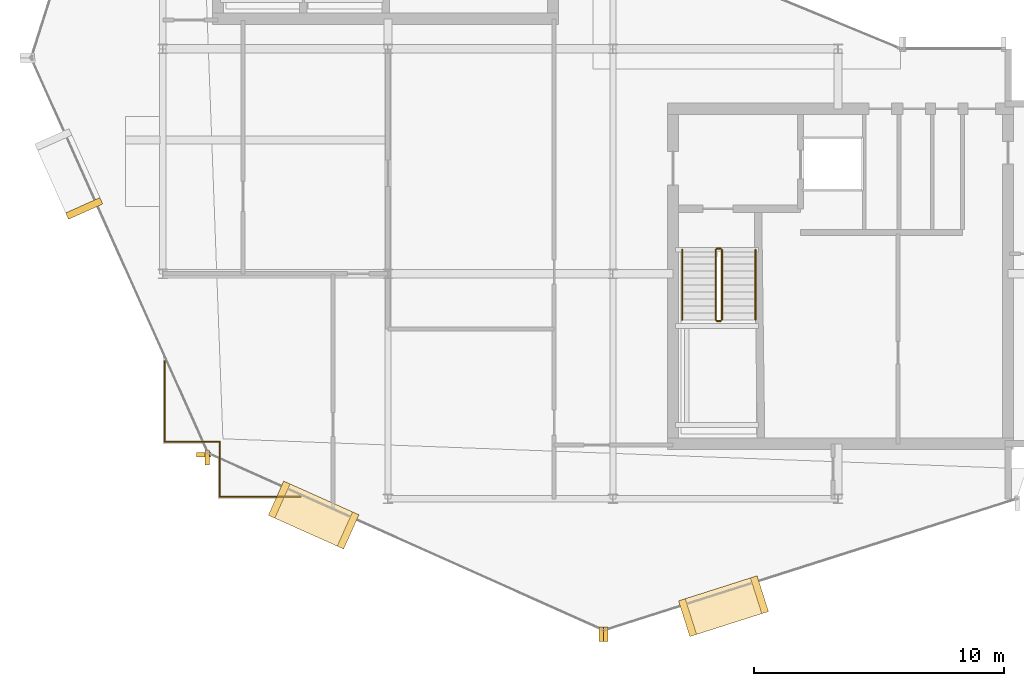
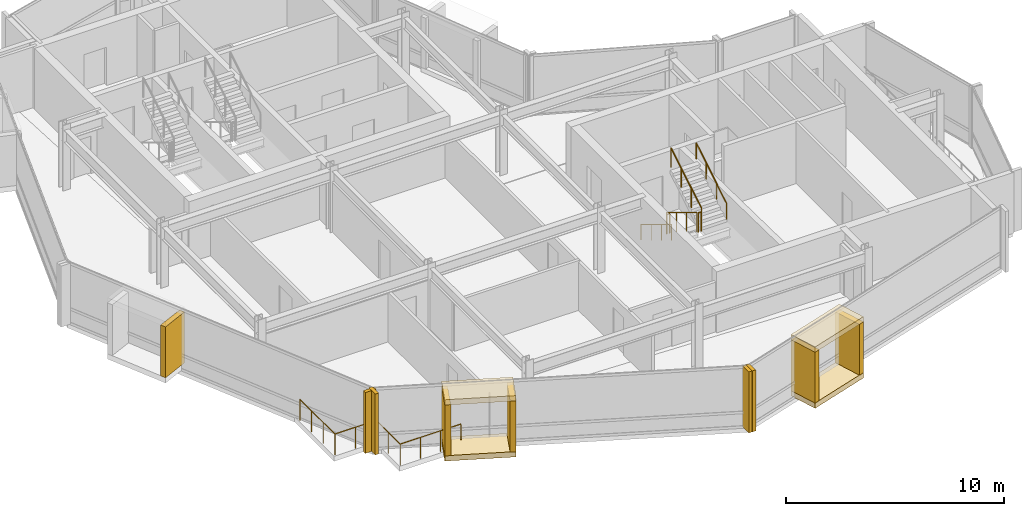
# One storey, part 16 of 19: 13 coverings, 10 railings.
"""IFC4 building model written with IfcOpenShell, lengths in metres."""

from ifc_helpers import new_model, si_unit, direction, frame, origin, origin_2d, place, context, subcontext, project, spatial, rectangle, circle, extrude, material, layer, layer_set, type_object, element, save


model = new_model("IFC4")

# Units and contexts
model_context = context("Model", 3, precision=1e-05, world=origin(), true_north=direction((0.0, 1.0)))
body_context = subcontext(model_context, "Body", "Model", "MODEL_VIEW")
ifc_project = project(units=[si_unit("LENGTHUNIT", "METRE"), si_unit("AREAUNIT", "SQUARE_METRE"), si_unit("VOLUMEUNIT", "CUBIC_METRE"), si_unit("PLANEANGLEUNIT", "RADIAN"), si_unit("MASSUNIT", "GRAM", prefix="KILO")], contexts=[model_context])

# Site, building, storey
site_placement = place(None, origin())
site = spatial("IfcSite", under=ifc_project, at=site_placement, CompositionType="ELEMENT")
building_placement = place(site_placement, origin())
building = spatial("IfcBuilding", under=site, at=building_placement, Name="Solvaryn Broadcast Tower", CompositionType="ELEMENT")
storey_placement = place(building_placement, frame((0.0, 0.0, 259.300048828125)))
storey = spatial("IfcBuildingStorey", under=building, at=storey_placement, Name="L65", CompositionType="ELEMENT", Elevation=259.300048828125)

# Coverings
ifc_material_1 = material(Name="Glazed Architectural Terracotta Rainscreen Cladding", Category="masonry")
ifc_layer_1 = layer(ifc_material_1, 0.280029296875)
ifc_layer_set_1 = layer_set([ifc_layer_1], Name="CV-TC-CLAD")
covering_type_1 = type_object("IfcCoveringType", Name="CV-TC-CLAD", PredefinedType="CLADDING", material=ifc_layer_set_1)
covering_1_placement = place(storey_placement, frame((5.852783203125, 20.61181640625, 0.27978515625), z_axis=(0.0, 0.0, 1.0), x_axis=(0.408489773781, -0.91276289622, 0.0)))
element("IfcCovering", 1, at=covering_1_placement, inside=storey, type_object=covering_type_1, Name="L65 Projecting Stone Window Box Cheek 2-2", PredefinedType="CLADDING", context=body_context, shape_type="SweptSolid", body=[
    extrude(rectangle(XDim=0.280029296875, YDim=1.5, at=origin_2d()), origin(), (0.0, 0.0, 1.0), 2.860107421875),
])
for number, where, z_axis, x_axis, name in (
    (2, (15.030029296875, 8.35107421875, 3.1298828125), (0.0, 0.0, 1.0), (0.91276289622, -0.408489773781, 0.0), "L65 Projecting Stone Window Box Hood 3"),
    (3, (15.030029296875, 8.35107421875, -0.01025390625), (0.0, 0.0, 1.0), (0.91276289622, -0.408489773781, 0.0), "L65 Projecting Stone Window Box Sill 3"),
):
    element("IfcCovering", number, at=place(storey_placement, frame(where, z_axis=z_axis, x_axis=x_axis)), inside=storey, type_object=covering_type_1, Name=name, PredefinedType="CLADDING", context=body_context, shape_type="SweptSolid", body=[
        extrude(rectangle(XDim=3.300048828125, YDim=1.5, at=origin_2d()), origin(), (0.0, 0.0, 1.0), 0.300048828125),
    ])
for number, where, z_axis, x_axis, name in (
    (4, (13.651611328125, 8.9677734375, 0.27978515625), (0.0, 0.0, 1.0), (0.91276289622, -0.408489773781, 0.0), "L65 Projecting Stone Window Box Cheek 3-1"),
    (5, (16.408203125, 7.734130859375, 0.27978515625), (0.0, 0.0, 1.0), (0.91276289622, -0.408489773781, 0.0), "L65 Projecting Stone Window Box Cheek 3-2"),
):
    element("IfcCovering", number, at=place(storey_placement, frame(where, z_axis=z_axis, x_axis=x_axis)), inside=storey, type_object=covering_type_1, Name=name, PredefinedType="CLADDING", context=body_context, shape_type="SweptSolid", body=[
        extrude(rectangle(XDim=0.280029296875, YDim=1.5, at=origin_2d()), origin(), (0.0, 0.0, 1.0), 2.860107421875),
    ])
for number, where, z_axis, x_axis, name in (
    (6, (31.4208984375, 4.7060546875, 3.1298828125), (0.0, 0.0, 1.0), (0.952820541996, 0.303534206887, 0.0), "L65 Projecting Stone Window Box Hood 4"),
    (7, (31.4208984375, 4.7060546875, -0.01025390625), (0.0, 0.0, 1.0), (0.952820541996, 0.303534206887, 0.0), "L65 Projecting Stone Window Box Sill 4"),
):
    element("IfcCovering", number, at=place(storey_placement, frame(where, z_axis=z_axis, x_axis=x_axis)), inside=storey, type_object=covering_type_1, Name=name, PredefinedType="CLADDING", context=body_context, shape_type="SweptSolid", body=[
        extrude(rectangle(XDim=3.300048828125, YDim=1.5, at=origin_2d()), origin(), (0.0, 0.0, 1.0), 0.300048828125),
    ])
for number, where, z_axis, x_axis, name in (
    (8, (29.982177734375, 4.247802734375, 0.27978515625), (0.0, 0.0, 1.0), (0.952820541996, 0.303534206887, 0.0), "L65 Projecting Stone Window Box Cheek 4-1"),
    (9, (32.85986328125, 5.164306640625, 0.27978515625), (0.0, 0.0, 1.0), (0.952820541996, 0.303534206887, 0.0), "L65 Projecting Stone Window Box Cheek 4-2"),
):
    element("IfcCovering", number, at=place(storey_placement, frame(where, z_axis=z_axis, x_axis=x_axis)), inside=storey, type_object=covering_type_1, Name=name, PredefinedType="CLADDING", context=body_context, shape_type="SweptSolid", body=[
        extrude(rectangle(XDim=0.280029296875, YDim=1.5, at=origin_2d()), origin(), (0.0, 0.0, 1.0), 2.860107421875),
    ])
ifc_material_2 = material(Name="Extruded Architectural Terracotta Fin", Category="masonry")
ifc_layer_2 = layer(ifc_material_2, 0.179931640625)
ifc_layer_set_2 = layer_set([ifc_layer_2], Name="CV-TC-FIN")
covering_type_2 = type_object("IfcCoveringType", Name="CV-TC-FIN", PredefinedType="USERDEFINED", material=ifc_layer_set_2)
covering_2_placement = place(storey_placement, frame((10.640380859375, 10.77099609375, 0.0), z_axis=(0.0, 0.0, 1.0), x_axis=(1.0, 0.0, 0.0)))
element("IfcCovering", 10, at=covering_2_placement, inside=storey, type_object=covering_type_2, Name="L65 Terracotta Vertical Fin FIN-L65-DR2-M01", ObjectType="FIN", PredefinedType="USERDEFINED", context=body_context, shape_type="SweptSolid", body=[
    extrude(rectangle(XDim=0.580078125, YDim=0.179931640625, at=origin_2d()), origin(), (0.0, 0.0, 1.0), 3.419921875),
])
for number, where, z_axis, x_axis, name in (
    (11, (10.77099609375, 10.640380859375, 0.0), (0.0, 0.0, 1.0), (1.0, 0.0, 0.0), "L65 Terracotta Vertical Fin FIN-L65-DR3-M00"),
    (12, (26.53515625, 3.5859375, 0.0), (0.0, 0.0, 1.0), (1.0, 0.0, 0.0), "L65 Terracotta Vertical Fin FIN-L65-DR3-M01"),
    (13, (26.71923828125, 3.575439453125, 0.0), (0.0, 0.0, 1.0), (1.0, 0.0, 0.0), "L65 Terracotta Vertical Fin FIN-L65-DR4-M00"),
):
    element("IfcCovering", number, at=place(storey_placement, frame(where, z_axis=z_axis, x_axis=x_axis)), inside=storey, type_object=covering_type_2, Name=name, ObjectType="FIN", PredefinedType="USERDEFINED", context=body_context, shape_type="SweptSolid", body=[
        extrude(rectangle(XDim=0.179931640625, YDim=0.580078125, at=origin_2d()), origin(), (0.0, 0.0, 1.0), 3.419921875),
    ])

# Railings
ifc_material_3 = material(Name="Stainless Steel and Laminated Glass Guard", Category="steel")
railing_type_1 = type_object("IfcRailingType", Name="RL-SKYG-1200", PredefinedType="BALUSTRADE", material=ifc_material_3)
railing_1_placement = place(storey_placement, frame((9.080078125, 14.5, 0.0)))
element("IfcRailing", 14, at=railing_1_placement, inside=storey, type_object=railing_type_1, Name="L65 Upper SW Corner Balustrade 1", PredefinedType="BALUSTRADE", context=body_context, shape_type="SweptSolid", body=[
    extrude(circle(Radius=0.02392578125, at=origin_2d()), frame((0.0, 0.0, 1.17578125), z_axis=(0.0, -1.0, 0.0), x_axis=(1.0, 0.0, 0.0)), (0.0, 0.0, 1.0), 3.219970703125),
    extrude(circle(Radius=0.02099609375, at=origin_2d()), origin(), (0.0, 0.0, 1.0), 1.15185546875),
    extrude(circle(Radius=0.02099609375, at=origin_2d()), frame((0.0, -1.0732421875, 0.0)), (0.0, 0.0, 1.0), 1.15185546875),
    extrude(circle(Radius=0.02099609375, at=origin_2d()), frame((0.0, -2.146728515625, 0.0)), (0.0, 0.0, 1.0), 1.15185546875),
    extrude(circle(Radius=0.02099609375, at=origin_2d()), frame((0.0, -3.219970703125, 0.0)), (0.0, 0.0, 1.0), 1.15185546875),
])
railing_2_placement = place(storey_placement, frame((9.080078125, 11.280029296875, 0.0)))
element("IfcRailing", 15, at=railing_2_placement, inside=storey, type_object=railing_type_1, Name="L65 Upper SW Corner Balustrade 2", PredefinedType="BALUSTRADE", context=body_context, shape_type="SweptSolid", body=[
    extrude(circle(Radius=0.02392578125, at=origin_2d()), frame((0.0, 0.0, 1.17578125), z_axis=(1.0, 0.0, 0.0), x_axis=(0.0, 1.0, 0.0)), (0.0, 0.0, 1.0), 2.199951171875),
    extrude(circle(Radius=0.02099609375, at=origin_2d()), origin(), (0.0, 0.0, 1.0), 1.15185546875),
    extrude(circle(Radius=0.02099609375, at=origin_2d()), frame((1.10009765625, 0.0, 0.0)), (0.0, 0.0, 1.0), 1.15185546875),
    extrude(circle(Radius=0.02099609375, at=origin_2d()), frame((2.199951171875, 0.0, 0.0)), (0.0, 0.0, 1.0), 1.15185546875),
])
railing_3_placement = place(storey_placement, frame((11.280029296875, 11.280029296875, 0.0)))
element("IfcRailing", 16, at=railing_3_placement, inside=storey, type_object=railing_type_1, Name="L65 Upper SW Corner Balustrade 3", PredefinedType="BALUSTRADE", context=body_context, shape_type="SweptSolid", body=[
    extrude(circle(Radius=0.02392578125, at=origin_2d()), frame((0.0, 0.0, 1.17578125), z_axis=(0.0, -1.0, 0.0), x_axis=(1.0, 0.0, 0.0)), (0.0, 0.0, 1.0), 2.199951171875),
    extrude(circle(Radius=0.02099609375, at=origin_2d()), origin(), (0.0, 0.0, 1.0), 1.15185546875),
    extrude(circle(Radius=0.02099609375, at=origin_2d()), frame((0.0, -1.10009765625, 0.0)), (0.0, 0.0, 1.0), 1.15185546875),
    extrude(circle(Radius=0.02099609375, at=origin_2d()), frame((0.0, -2.199951171875, 0.0)), (0.0, 0.0, 1.0), 1.15185546875),
])
railing_4_placement = place(storey_placement, frame((11.280029296875, 9.080078125, 0.0)))
element("IfcRailing", 17, at=railing_4_placement, inside=storey, type_object=railing_type_1, Name="L65 Upper SW Corner Balustrade 4", PredefinedType="BALUSTRADE", context=body_context, shape_type="SweptSolid", body=[
    extrude(circle(Radius=0.02392578125, at=origin_2d()), frame((0.0, 0.0, 1.17578125), z_axis=(1.0, 0.0, 0.0), x_axis=(0.0, 1.0, 0.0)), (0.0, 0.0, 1.0), 3.219970703125),
    extrude(circle(Radius=0.02099609375, at=origin_2d()), origin(), (0.0, 0.0, 1.0), 1.15185546875),
    extrude(circle(Radius=0.02099609375, at=origin_2d()), frame((1.0732421875, 0.0, 0.0)), (0.0, 0.0, 1.0), 1.15185546875),
    extrude(circle(Radius=0.02099609375, at=origin_2d()), frame((2.146728515625, 0.0, 0.0)), (0.0, 0.0, 1.0), 1.15185546875),
    extrude(circle(Radius=0.02099609375, at=origin_2d()), frame((3.219970703125, 0.0, 0.0)), (0.0, 0.0, 1.0), 1.15185546875),
])
ifc_material_4 = material(Name="Painted Steel Stair Well Guard", Category="steel")
railing_type_2 = type_object("IfcRailingType", Name="RL-STAIR-GUARD", PredefinedType="BALUSTRADE", material=ifc_material_4)
railing_5_placement = place(storey_placement, frame((31.110107421875, 18.9599609375, 0.168212890625)))
element("IfcRailing", 18, at=railing_5_placement, inside=storey, type_object=railing_type_2, Name="L65 ST3 stair guard 1", PredefinedType="BALUSTRADE", context=body_context, shape_type="SweptSolid", body=[
    extrude(circle(Radius=0.02392578125, at=origin_2d()), frame((0.0, 0.0, 1.076171875), z_axis=(0.0, -0.857275202839, 0.514858452973), x_axis=(1.0, 0.0, 0.0)), (0.0, 0.0, 1.0), 3.26611328125),
    extrude(circle(Radius=0.02099609375, at=origin_2d()), origin(), (0.0, 0.0, 1.0), 1.052001953125),
    extrude(circle(Radius=0.02099609375, at=origin_2d()), frame((0.0, -0.933349609375, 0.560546875)), (0.0, 0.0, 1.0), 1.052001953125),
    extrude(circle(Radius=0.02099609375, at=origin_2d()), frame((0.0, -1.86669921875, 1.12109375)), (0.0, 0.0, 1.0), 1.052001953125),
    extrude(circle(Radius=0.02099609375, at=origin_2d()), frame((0.0, -2.800048828125, 1.681640625)), (0.0, 0.0, 1.0), 1.052001953125),
])
railing_6_placement = place(storey_placement, frame((31.159912109375, 16.110107421875, 1.849853515625)))
element("IfcRailing", 19, at=railing_6_placement, inside=storey, type_object=railing_type_2, Name="L65 ST3 stair guard 2", PredefinedType="BALUSTRADE", context=body_context, shape_type="SweptSolid", body=[
    extrude(circle(Radius=0.02392578125, at=origin_2d()), frame((0.0, 0.0, 1.076171875), z_axis=(1.0, 0.0, 0.0), x_axis=(0.0, 1.0, 0.0)), (0.0, 0.0, 1.0), 0.150146484375),
    extrude(circle(Radius=0.02099609375, at=origin_2d()), origin(), (0.0, 0.0, 1.0), 1.052001953125),
    extrude(circle(Radius=0.02099609375, at=origin_2d()), frame((0.150146484375, 0.0, 0.0)), (0.0, 0.0, 1.0), 1.052001953125),
])
railing_7_placement = place(storey_placement, frame((31.360107421875, 16.159912109375, 2.01806640625)))
element("IfcRailing", 20, at=railing_7_placement, inside=storey, type_object=railing_type_2, Name="L65 ST3 stair guard 3", PredefinedType="BALUSTRADE", context=body_context, shape_type="SweptSolid", body=[
    extrude(circle(Radius=0.02392578125, at=origin_2d()), frame((0.0, 0.0, 1.076171875), z_axis=(0.0, 0.857242210791, 0.514913383045), x_axis=(-1.0, 0.0, 0.0)), (0.0, 0.0, 1.0), 3.266357421875),
    extrude(circle(Radius=0.02099609375, at=origin_2d()), origin(), (0.0, 0.0, 1.0), 1.052001953125),
    extrude(circle(Radius=0.02099609375, at=origin_2d()), frame((0.0, 0.933349609375, 0.560546875)), (0.0, 0.0, 1.0), 1.052001953125),
    extrude(circle(Radius=0.02099609375, at=origin_2d()), frame((0.0, 1.86669921875, 1.121337890625)), (0.0, 0.0, 1.0), 1.052001953125),
    extrude(circle(Radius=0.02099609375, at=origin_2d()), frame((0.0, 2.800048828125, 1.681884765625)), (0.0, 0.0, 1.0), 1.052001953125),
])
railing_8_placement = place(storey_placement, frame((31.159912109375, 19.010009765625, 0.0)))
element("IfcRailing", 21, at=railing_8_placement, inside=storey, type_object=railing_type_2, Name="L65 ST3 stair guard 4", PredefinedType="BALUSTRADE", context=body_context, shape_type="SweptSolid", body=[
    extrude(circle(Radius=0.02392578125, at=origin_2d()), frame((0.0, 0.0, 1.076171875), z_axis=(1.0, 0.0, 0.0), x_axis=(0.0, 1.0, 0.0)), (0.0, 0.0, 1.0), 0.150146484375),
    extrude(circle(Radius=0.02099609375, at=origin_2d()), origin(), (0.0, 0.0, 1.0), 1.052001953125),
    extrude(circle(Radius=0.02099609375, at=origin_2d()), frame((0.150146484375, 0.0, 0.0)), (0.0, 0.0, 1.0), 1.052001953125),
])
ifc_material_5 = material(Name="Brushed Stainless Steel Tubular Handrail", Category="steel")
railing_type_3 = type_object("IfcRailingType", Name="RL-STAIR-HANDRAIL", PredefinedType="HANDRAIL", material=ifc_material_5)
railing_9_placement = place(storey_placement, frame((29.77001953125, 18.9599609375, 0.168212890625)))
element("IfcRailing", 22, at=railing_9_placement, inside=storey, type_object=railing_type_3, Name="L65 ST3 stair handrail 1", PredefinedType="HANDRAIL", context=body_context, shape_type="SweptSolid", body=[
    extrude(circle(Radius=0.02392578125, at=origin_2d()), frame((0.0, 0.0, 0.8759765625), z_axis=(0.0, -0.857275202839, 0.514858452973), x_axis=(1.0, 0.0, 0.0)), (0.0, 0.0, 1.0), 3.26611328125),
    extrude(circle(Radius=0.02099609375, at=origin_2d()), origin(), (0.0, 0.0, 1.0), 0.851806640625),
    extrude(circle(Radius=0.02099609375, at=origin_2d()), frame((0.0, -0.933349609375, 0.560546875)), (0.0, 0.0, 1.0), 0.851806640625),
    extrude(circle(Radius=0.02099609375, at=origin_2d()), frame((0.0, -1.86669921875, 1.12109375)), (0.0, 0.0, 1.0), 0.851806640625),
    extrude(circle(Radius=0.02099609375, at=origin_2d()), frame((0.0, -2.800048828125, 1.681640625)), (0.0, 0.0, 1.0), 0.851806640625),
])
railing_10_placement = place(storey_placement, frame((32.699951171875, 16.159912109375, 2.01806640625)))
element("IfcRailing", 23, at=railing_10_placement, inside=storey, type_object=railing_type_3, Name="L65 ST3 stair handrail 2", PredefinedType="HANDRAIL", context=body_context, shape_type="SweptSolid", body=[
    extrude(circle(Radius=0.02392578125, at=origin_2d()), frame((0.0, 0.0, 0.8759765625), z_axis=(0.0, 0.857242210791, 0.514913383045), x_axis=(-1.0, 0.0, 0.0)), (0.0, 0.0, 1.0), 3.266357421875),
    extrude(circle(Radius=0.02099609375, at=origin_2d()), origin(), (0.0, 0.0, 1.0), 0.851806640625),
    extrude(circle(Radius=0.02099609375, at=origin_2d()), frame((0.0, 0.933349609375, 0.560546875)), (0.0, 0.0, 1.0), 0.851806640625),
    extrude(circle(Radius=0.02099609375, at=origin_2d()), frame((0.0, 1.86669921875, 1.121337890625)), (0.0, 0.0, 1.0), 0.851806640625),
    extrude(circle(Radius=0.02099609375, at=origin_2d()), frame((0.0, 2.800048828125, 1.681884765625)), (0.0, 0.0, 1.0), 0.851806640625),
])

save(model, "model.ifc")
